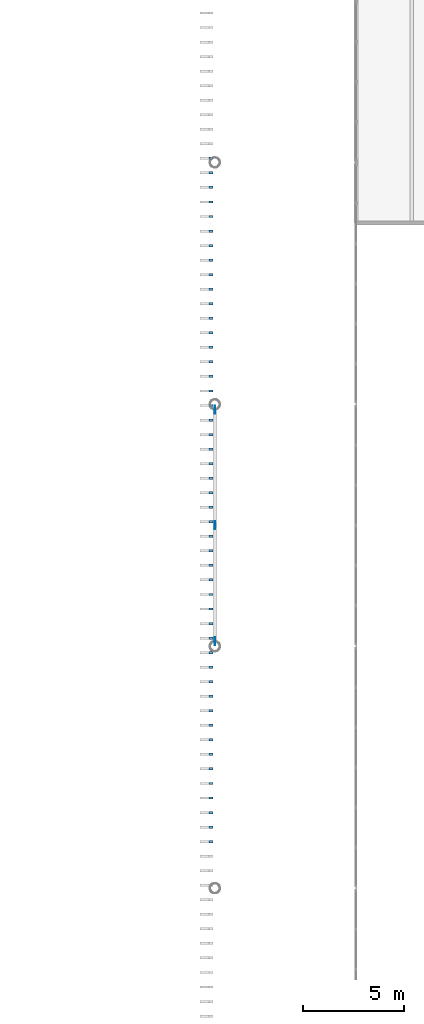
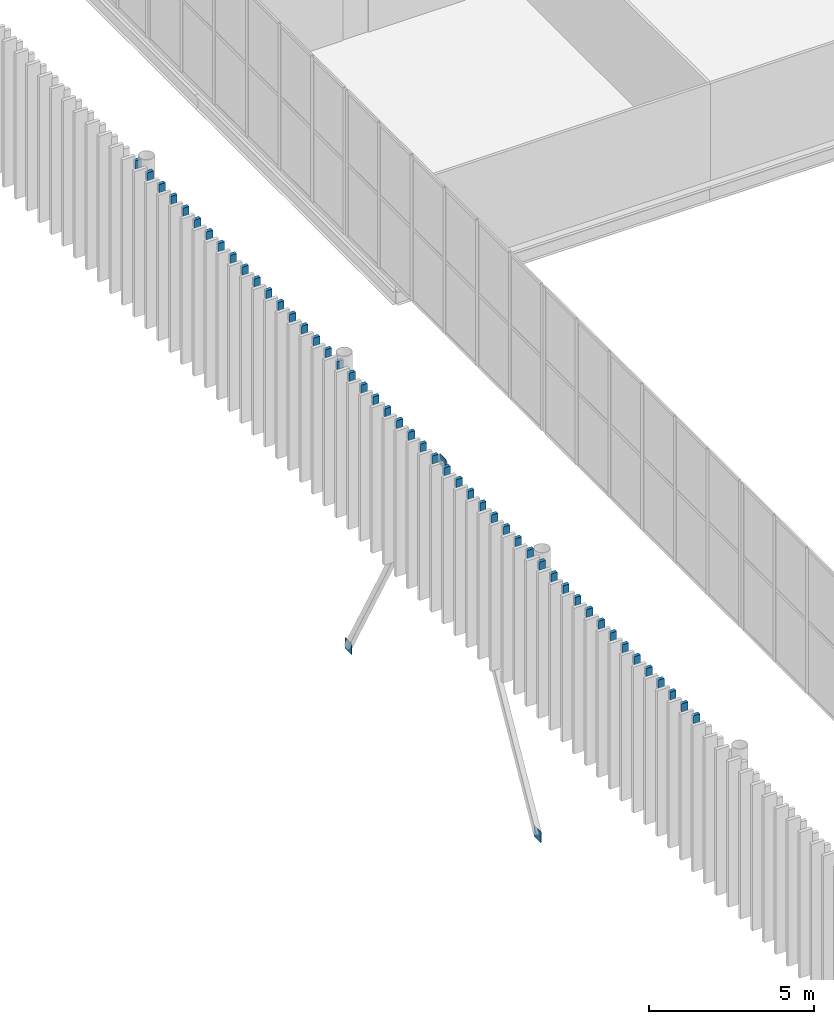
# One storey, part 144 of 170: 51 discrete accessories.
"""IFC4 building model written with IfcOpenShell, lengths in metres."""

from ifc_helpers import new_model, si_unit, direction, frame, origin, origin_2d, place, context, subcontext, project, spatial, rectangle, extrude, material, material_profile, profile_set, type_object, element, save


model = new_model("IFC4")

# Units and contexts
model_context = context("Model", 3, precision=1e-05, world=origin(), true_north=direction((0.0, 1.0)))
body_context = subcontext(model_context, "Body", "Model", "MODEL_VIEW")
ifc_project = project(units=[si_unit("LENGTHUNIT", "METRE"), si_unit("AREAUNIT", "SQUARE_METRE"), si_unit("VOLUMEUNIT", "CUBIC_METRE"), si_unit("PLANEANGLEUNIT", "RADIAN"), si_unit("MASSUNIT", "GRAM", prefix="KILO")], contexts=[model_context])

# Site, building, storey
site_placement = place(None, origin())
site = spatial("IfcSite", under=ifc_project, at=site_placement, CompositionType="ELEMENT")
building_placement = place(site_placement, origin())
building = spatial("IfcBuilding", under=site, at=building_placement, Name="Ravi Spectrum Wholesale Market", CompositionType="ELEMENT")
storey_placement = place(building_placement, frame((0.0, 0.0, 5.39990234375)))
storey = spatial("IfcBuildingStorey", under=building, at=storey_placement, Name="L01", CompositionType="ELEMENT", Elevation=5.39990234375)

# Discrete accessories
ifc_material_1 = material(Name="Steel S355", Category="steel")
discrete_accessory_type_1 = type_object("IfcDiscreteAccessoryType", Name="Fin bracket 120", PredefinedType="BRACKET", material=ifc_material_1)
for number, where, z_axis, x_axis, name in (
    (1, (29.800048828125, 174.2060546875, 4.89990234375), (0.0, 0.0, 1.0), (0.0, -1.0, 0.0), "Fin bracket B034"),
    (2, (29.800048828125, 173.48486328125, 4.89990234375), (0.0, 0.0, 1.0), (0.0, -1.0, 0.0), "Fin bracket B035"),
    (3, (29.800048828125, 172.763916015625, 4.89990234375), (0.0, 0.0, 1.0), (0.0, -1.0, 0.0), "Fin bracket B036"),
    (4, (29.800048828125, 172.04296875, 4.89990234375), (0.0, 0.0, 1.0), (0.0, -1.0, 0.0), "Fin bracket B037"),
    (5, (29.800048828125, 171.32177734375, 4.89990234375), (0.0, 0.0, 1.0), (0.0, -1.0, 0.0), "Fin bracket B038"),
    (6, (29.800048828125, 170.600830078125, 4.89990234375), (0.0, 0.0, 1.0), (0.0, -1.0, 0.0), "Fin bracket B039"),
    (7, (29.800048828125, 169.8798828125, 4.89990234375), (0.0, 0.0, 1.0), (0.0, -1.0, 0.0), "Fin bracket B040"),
    (8, (29.800048828125, 169.15869140625, 4.89990234375), (0.0, 0.0, 1.0), (0.0, -1.0, 0.0), "Fin bracket B041"),
    (9, (29.800048828125, 168.437744140625, 4.89990234375), (0.0, 0.0, 1.0), (0.0, -1.0, 0.0), "Fin bracket B042"),
    (10, (29.800048828125, 167.716796875, 4.89990234375), (0.0, 0.0, 1.0), (0.0, -1.0, 0.0), "Fin bracket B043"),
    (11, (29.800048828125, 166.99560546875, 4.89990234375), (0.0, 0.0, 1.0), (0.0, -1.0, 0.0), "Fin bracket B044"),
    (12, (29.800048828125, 166.274658203125, 4.89990234375), (0.0, 0.0, 1.0), (0.0, -1.0, 0.0), "Fin bracket B045"),
    (13, (29.800048828125, 165.5537109375, 4.89990234375), (0.0, 0.0, 1.0), (0.0, -1.0, 0.0), "Fin bracket B046"),
    (14, (29.800048828125, 164.83251953125, 4.89990234375), (0.0, 0.0, 1.0), (0.0, -1.0, 0.0), "Fin bracket B047"),
    (15, (29.800048828125, 164.111572265625, 4.89990234375), (0.0, 0.0, 1.0), (0.0, -1.0, 0.0), "Fin bracket B048"),
    (16, (29.800048828125, 163.390625, 4.89990234375), (0.0, 0.0, 1.0), (0.0, -1.0, 0.0), "Fin bracket B049"),
    (17, (29.800048828125, 162.66943359375, 4.89990234375), (0.0, 0.0, 1.0), (0.0, -1.0, 0.0), "Fin bracket B050"),
    (18, (29.800048828125, 161.948486328125, 4.89990234375), (0.0, 0.0, 1.0), (0.0, -1.0, 0.0), "Fin bracket B051"),
    (19, (29.800048828125, 161.2275390625, 4.89990234375), (0.0, 0.0, 1.0), (0.0, -1.0, 0.0), "Fin bracket B052"),
    (20, (29.800048828125, 160.50634765625, 4.89990234375), (0.0, 0.0, 1.0), (0.0, -1.0, 0.0), "Fin bracket B053"),
    (21, (29.800048828125, 159.785400390625, 4.89990234375), (0.0, 0.0, 1.0), (0.0, -1.0, 0.0), "Fin bracket B054"),
    (22, (29.800048828125, 159.064453125, 4.89990234375), (0.0, 0.0, 1.0), (0.0, -1.0, 0.0), "Fin bracket B055"),
    (23, (29.800048828125, 158.34326171875, 4.89990234375), (0.0, 0.0, 1.0), (0.0, -1.0, 0.0), "Fin bracket B056"),
    (24, (29.800048828125, 157.622314453125, 4.89990234375), (0.0, 0.0, 1.0), (0.0, -1.0, 0.0), "Fin bracket B057"),
    (25, (29.800048828125, 156.9013671875, 4.89990234375), (0.0, 0.0, 1.0), (0.0, -1.0, 0.0), "Fin bracket B058"),
    (26, (29.800048828125, 156.18017578125, 4.89990234375), (0.0, 0.0, 1.0), (0.0, -1.0, 0.0), "Fin bracket B059"),
    (27, (29.800048828125, 155.459228515625, 4.89990234375), (0.0, 0.0, 1.0), (0.0, -1.0, 0.0), "Fin bracket B060"),
    (28, (29.800048828125, 154.73828125, 4.89990234375), (0.0, 0.0, 1.0), (0.0, -1.0, 0.0), "Fin bracket B061"),
    (29, (29.800048828125, 154.01708984375, 4.89990234375), (0.0, 0.0, 1.0), (0.0, -1.0, 0.0), "Fin bracket B062"),
    (30, (29.800048828125, 153.296142578125, 4.89990234375), (0.0, 0.0, 1.0), (0.0, -1.0, 0.0), "Fin bracket B063"),
    (31, (29.800048828125, 152.5751953125, 4.89990234375), (0.0, 0.0, 1.0), (0.0, -1.0, 0.0), "Fin bracket B064"),
    (32, (29.800048828125, 151.85400390625, 4.89990234375), (0.0, 0.0, 1.0), (0.0, -1.0, 0.0), "Fin bracket B065"),
    (33, (29.800048828125, 151.133056640625, 4.89990234375), (0.0, 0.0, 1.0), (0.0, -1.0, 0.0), "Fin bracket B066"),
    (34, (29.800048828125, 150.412109375, 4.89990234375), (0.0, 0.0, 1.0), (0.0, -1.0, 0.0), "Fin bracket B067"),
    (35, (29.800048828125, 149.69091796875, 4.89990234375), (0.0, 0.0, 1.0), (0.0, -1.0, 0.0), "Fin bracket B068"),
    (36, (29.800048828125, 148.969970703125, 4.89990234375), (0.0, 0.0, 1.0), (0.0, -1.0, 0.0), "Fin bracket B069"),
    (37, (29.800048828125, 148.2490234375, 4.89990234375), (0.0, 0.0, 1.0), (0.0, -1.0, 0.0), "Fin bracket B070"),
    (38, (29.800048828125, 147.52783203125, 4.89990234375), (0.0, 0.0, 1.0), (0.0, -1.0, 0.0), "Fin bracket B071"),
    (39, (29.800048828125, 146.806884765625, 4.89990234375), (0.0, 0.0, 1.0), (0.0, -1.0, 0.0), "Fin bracket B072"),
    (40, (29.800048828125, 146.0859375, 4.89990234375), (0.0, 0.0, 1.0), (0.0, -1.0, 0.0), "Fin bracket B073"),
    (41, (29.800048828125, 145.36474609375, 4.89990234375), (0.0, 0.0, 1.0), (0.0, -1.0, 0.0), "Fin bracket B074"),
    (42, (29.800048828125, 144.643798828125, 4.89990234375), (0.0, 0.0, 1.0), (0.0, -1.0, 0.0), "Fin bracket B075"),
    (43, (29.800048828125, 143.9228515625, 4.89990234375), (0.0, 0.0, 1.0), (0.0, -1.0, 0.0), "Fin bracket B076"),
    (44, (29.800048828125, 143.20166015625, 4.89990234375), (0.0, 0.0, 1.0), (0.0, -1.0, 0.0), "Fin bracket B077"),
    (45, (29.800048828125, 142.480712890625, 4.89990234375), (0.0, 0.0, 1.0), (0.0, -1.0, 0.0), "Fin bracket B078"),
    (46, (29.800048828125, 141.759765625, 4.89990234375), (0.0, 0.0, 1.0), (0.0, -1.0, 0.0), "Fin bracket B079"),
    (47, (29.800048828125, 141.03857421875, 4.89990234375), (0.0, 0.0, 1.0), (0.0, -1.0, 0.0), "Fin bracket B080"),
    (48, (29.800048828125, 140.317626953125, 4.89990234375), (0.0, 0.0, 1.0), (0.0, -1.0, 0.0), "Fin bracket B081"),
):
    element("IfcDiscreteAccessory", number, at=place(storey_placement, frame(where, z_axis=z_axis, x_axis=x_axis)), inside=storey, type_object=discrete_accessory_type_1, Name=name, PredefinedType="BRACKET", context=body_context, shape_type="SweptSolid", body=[
        extrude(rectangle(XDim=0.1201171875, YDim=0.219970703125, at=origin_2d()), origin(), (0.0, 0.0, 1.0), 0.300048828125),
    ])
ifc_material_2 = material(Name="Steel S355", Category="steel")
ifc_material_profile = material_profile(ifc_material_2, rectangle(XDim=0.39990234375, YDim=0.02001953125, at=origin_2d()))
ifc_profile_set = profile_set([ifc_material_profile], Name="Steel S355")
discrete_accessory_type_2 = type_object("IfcDiscreteAccessoryType", Name="Gusset plate 400x400x20", PredefinedType="BRACKET", material=ifc_profile_set)
discrete_accessory_1_placement = place(storey_placement, frame((30.0, 150.25390625, -5.55078125), z_axis=(0.0, 0.0, 1.0), x_axis=(0.0, 1.0, 0.0)))
element("IfcDiscreteAccessory", 49, at=discrete_accessory_1_placement, inside=storey, type_object=discrete_accessory_type_2, Name="Gusset plate", PredefinedType="BRACKET", context=body_context, shape_type="SweptSolid", body=[
    extrude(rectangle(XDim=0.39990234375, YDim=0.02001953125, at=origin_2d()), origin(), (0.0, 0.0, 1.0), 0.39990234375),
])
discrete_accessory_2_placement = place(storey_placement, frame((30.0, 156.0, 4.75), z_axis=(0.0, 0.0, 1.0), x_axis=(0.0, 1.0, 0.0)))
element("IfcDiscreteAccessory", 50, at=discrete_accessory_2_placement, inside=storey, type_object=discrete_accessory_type_2, Name="Gusset plate", PredefinedType="BRACKET", context=body_context, shape_type="SweptSolid", body=[
    extrude(rectangle(XDim=0.39990234375, YDim=0.02001953125, at=origin_2d()), origin(), (0.0, 0.0, 1.0), 0.400146484375),
])
discrete_accessory_3_placement = place(storey_placement, frame((30.0, 161.74609375, -5.55078125), z_axis=(0.0, 0.0, 1.0), x_axis=(0.0, -1.0, 0.0)))
element("IfcDiscreteAccessory", 51, at=discrete_accessory_3_placement, inside=storey, type_object=discrete_accessory_type_2, Name="Gusset plate", PredefinedType="BRACKET", context=body_context, shape_type="SweptSolid", body=[
    extrude(rectangle(XDim=0.39990234375, YDim=0.02001953125, at=origin_2d()), origin(), (0.0, 0.0, 1.0), 0.39990234375),
])

save(model, "model.ifc")
